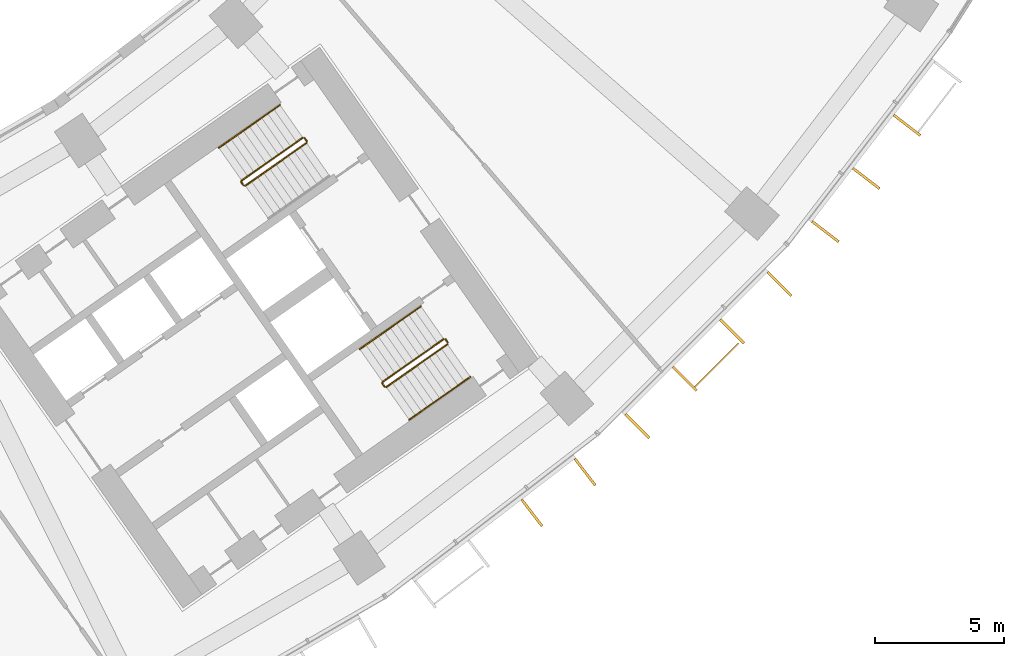
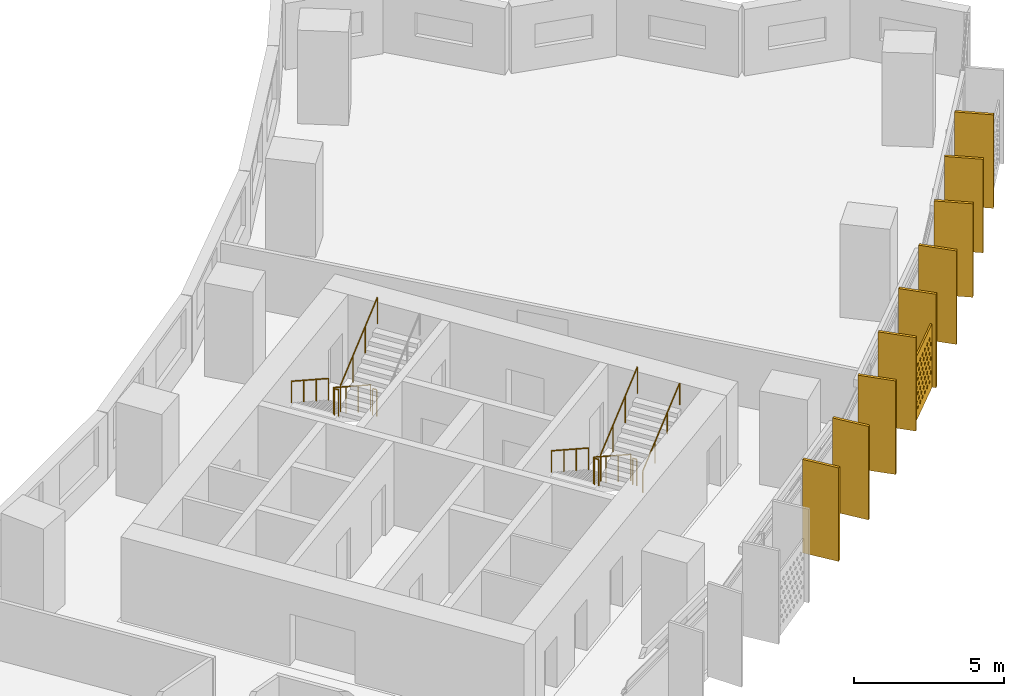
# One storey, part 30 of 31: 10 shading devices, 9 railings.
"""IFC4 building model written with IfcOpenShell, lengths in metres."""

from ifc_helpers import new_model, si_unit, direction, frame, origin, origin_2d, place, context, subcontext, project, spatial, polyline, rectangle, circle, outline, extrude, material, material_profile, profile_set, type_object, element, save


model = new_model("IFC4")

# Units and contexts
model_context = context("Model", 3, precision=1e-05, world=origin(), true_north=direction((0.0, 1.0)))
body_context = subcontext(model_context, "Body", "Model", "MODEL_VIEW")
ifc_project = project(units=[si_unit("LENGTHUNIT", "METRE"), si_unit("AREAUNIT", "SQUARE_METRE"), si_unit("VOLUMEUNIT", "CUBIC_METRE"), si_unit("PLANEANGLEUNIT", "RADIAN"), si_unit("MASSUNIT", "GRAM", prefix="KILO")], contexts=[model_context])

# Site, building, storey
site_placement = place(None, origin())
site = spatial("IfcSite", under=ifc_project, at=site_placement, CompositionType="ELEMENT")
building_placement = place(site_placement, origin())
building = spatial("IfcBuilding", under=site, at=building_placement, Name="Qamariyya Broadcast Tower", CompositionType="ELEMENT")
storey_placement = place(building_placement, frame((0.0, 0.0, 86.10009765625)))
storey = spatial("IfcBuildingStorey", under=building, at=storey_placement, Name="L18", CompositionType="ELEMENT", Elevation=86.10009765625)

# Shading device
ifc_material_1 = material(Name="Perforated glazed terracotta", Category="masonry")
ifc_material_profile_1 = material_profile(ifc_material_1, outline(polyline([(-1.199951171875, -1.300048828125), (1.199951171875, -1.300048828125), (1.199951171875, 1.300048828125), (-1.199951171875, 1.300048828125), (-1.199951171875, -1.300048828125)]), holes=[polyline([(-0.81494140625, -0.86669921875), (-0.89990234375, -0.78173828125), (-0.985107421875, -0.86669921875), (-0.89990234375, -0.95166015625), (-0.81494140625, -0.86669921875)]), polyline([(-0.514892578125, -0.86669921875), (-0.60009765625, -0.78173828125), (-0.68505859375, -0.86669921875), (-0.60009765625, -0.95166015625), (-0.514892578125, -0.86669921875)]), polyline([(-0.215087890625, -0.86669921875), (-0.300048828125, -0.78173828125), (-0.385009765625, -0.86669921875), (-0.300048828125, -0.95166015625), (-0.215087890625, -0.86669921875)]), polyline([(0.0849609375, -0.86669921875), (0.0, -0.78173828125), (-0.0849609375, -0.86669921875), (0.0, -0.95166015625), (0.0849609375, -0.86669921875)]), polyline([(0.385009765625, -0.86669921875), (0.300048828125, -0.78173828125), (0.215087890625, -0.86669921875), (0.300048828125, -0.95166015625), (0.385009765625, -0.86669921875)]), polyline([(0.68505859375, -0.86669921875), (0.60009765625, -0.78173828125), (0.514892578125, -0.86669921875), (0.60009765625, -0.95166015625), (0.68505859375, -0.86669921875)]), polyline([(0.985107421875, -0.86669921875), (0.89990234375, -0.78173828125), (0.81494140625, -0.86669921875), (0.89990234375, -0.95166015625), (0.985107421875, -0.86669921875)]), polyline([(-0.965087890625, -0.577880859375), (-1.050048828125, -0.49267578125), (-1.135009765625, -0.577880859375), (-1.050048828125, -0.662841796875), (-0.965087890625, -0.577880859375)]), polyline([(-0.6650390625, -0.577880859375), (-0.75, -0.49267578125), (-0.8349609375, -0.577880859375), (-0.75, -0.662841796875), (-0.6650390625, -0.577880859375)]), polyline([(-0.364990234375, -0.577880859375), (-0.449951171875, -0.49267578125), (-0.534912109375, -0.577880859375), (-0.449951171875, -0.662841796875), (-0.364990234375, -0.577880859375)]), polyline([(-0.06494140625, -0.577880859375), (-0.14990234375, -0.49267578125), (-0.235107421875, -0.577880859375), (-0.14990234375, -0.662841796875), (-0.06494140625, -0.577880859375)]), polyline([(0.235107421875, -0.577880859375), (0.14990234375, -0.49267578125), (0.06494140625, -0.577880859375), (0.14990234375, -0.662841796875), (0.235107421875, -0.577880859375)]), polyline([(0.534912109375, -0.577880859375), (0.449951171875, -0.49267578125), (0.364990234375, -0.577880859375), (0.449951171875, -0.662841796875), (0.534912109375, -0.577880859375)]), polyline([(0.8349609375, -0.577880859375), (0.75, -0.49267578125), (0.6650390625, -0.577880859375), (0.75, -0.662841796875), (0.8349609375, -0.577880859375)]), polyline([(1.135009765625, -0.577880859375), (1.050048828125, -0.49267578125), (0.965087890625, -0.577880859375), (1.050048828125, -0.662841796875), (1.135009765625, -0.577880859375)]), polyline([(-0.81494140625, -0.288818359375), (-0.89990234375, -0.203857421875), (-0.985107421875, -0.288818359375), (-0.89990234375, -0.373779296875), (-0.81494140625, -0.288818359375)]), polyline([(-0.514892578125, -0.288818359375), (-0.60009765625, -0.203857421875), (-0.68505859375, -0.288818359375), (-0.60009765625, -0.373779296875), (-0.514892578125, -0.288818359375)]), polyline([(-0.215087890625, -0.288818359375), (-0.300048828125, -0.203857421875), (-0.385009765625, -0.288818359375), (-0.300048828125, -0.373779296875), (-0.215087890625, -0.288818359375)]), polyline([(0.0849609375, -0.288818359375), (0.0, -0.203857421875), (-0.0849609375, -0.288818359375), (0.0, -0.373779296875), (0.0849609375, -0.288818359375)]), polyline([(0.385009765625, -0.288818359375), (0.300048828125, -0.203857421875), (0.215087890625, -0.288818359375), (0.300048828125, -0.373779296875), (0.385009765625, -0.288818359375)]), polyline([(0.68505859375, -0.288818359375), (0.60009765625, -0.203857421875), (0.514892578125, -0.288818359375), (0.60009765625, -0.373779296875), (0.68505859375, -0.288818359375)]), polyline([(0.985107421875, -0.288818359375), (0.89990234375, -0.203857421875), (0.81494140625, -0.288818359375), (0.89990234375, -0.373779296875), (0.985107421875, -0.288818359375)]), polyline([(-0.965087890625, 0.0), (-1.050048828125, 0.0849609375), (-1.135009765625, 0.0), (-1.050048828125, -0.0849609375), (-0.965087890625, 0.0)]), polyline([(-0.6650390625, 0.0), (-0.75, 0.0849609375), (-0.8349609375, 0.0), (-0.75, -0.0849609375), (-0.6650390625, 0.0)]), polyline([(-0.364990234375, 0.0), (-0.449951171875, 0.0849609375), (-0.534912109375, 0.0), (-0.449951171875, -0.0849609375), (-0.364990234375, 0.0)]), polyline([(-0.06494140625, 0.0), (-0.14990234375, 0.0849609375), (-0.235107421875, 0.0), (-0.14990234375, -0.0849609375), (-0.06494140625, 0.0)]), polyline([(0.235107421875, 0.0), (0.14990234375, 0.0849609375), (0.06494140625, 0.0), (0.14990234375, -0.0849609375), (0.235107421875, 0.0)]), polyline([(0.534912109375, 0.0), (0.449951171875, 0.0849609375), (0.364990234375, 0.0), (0.449951171875, -0.0849609375), (0.534912109375, 0.0)]), polyline([(0.8349609375, 0.0), (0.75, 0.0849609375), (0.6650390625, 0.0), (0.75, -0.0849609375), (0.8349609375, 0.0)]), polyline([(1.135009765625, 0.0), (1.050048828125, 0.0849609375), (0.965087890625, 0.0), (1.050048828125, -0.0849609375), (1.135009765625, 0.0)]), polyline([(-0.81494140625, 0.288818359375), (-0.89990234375, 0.373779296875), (-0.985107421875, 0.288818359375), (-0.89990234375, 0.203857421875), (-0.81494140625, 0.288818359375)]), polyline([(-0.514892578125, 0.288818359375), (-0.60009765625, 0.373779296875), (-0.68505859375, 0.288818359375), (-0.60009765625, 0.203857421875), (-0.514892578125, 0.288818359375)]), polyline([(-0.215087890625, 0.288818359375), (-0.300048828125, 0.373779296875), (-0.385009765625, 0.288818359375), (-0.300048828125, 0.203857421875), (-0.215087890625, 0.288818359375)]), polyline([(0.0849609375, 0.288818359375), (0.0, 0.373779296875), (-0.0849609375, 0.288818359375), (0.0, 0.203857421875), (0.0849609375, 0.288818359375)]), polyline([(0.385009765625, 0.288818359375), (0.300048828125, 0.373779296875), (0.215087890625, 0.288818359375), (0.300048828125, 0.203857421875), (0.385009765625, 0.288818359375)]), polyline([(0.68505859375, 0.288818359375), (0.60009765625, 0.373779296875), (0.514892578125, 0.288818359375), (0.60009765625, 0.203857421875), (0.68505859375, 0.288818359375)]), polyline([(0.985107421875, 0.288818359375), (0.89990234375, 0.373779296875), (0.81494140625, 0.288818359375), (0.89990234375, 0.203857421875), (0.985107421875, 0.288818359375)]), polyline([(-0.965087890625, 0.577880859375), (-1.050048828125, 0.662841796875), (-1.135009765625, 0.577880859375), (-1.050048828125, 0.49267578125), (-0.965087890625, 0.577880859375)]), polyline([(-0.6650390625, 0.577880859375), (-0.75, 0.662841796875), (-0.8349609375, 0.577880859375), (-0.75, 0.49267578125), (-0.6650390625, 0.577880859375)]), polyline([(-0.364990234375, 0.577880859375), (-0.449951171875, 0.662841796875), (-0.534912109375, 0.577880859375), (-0.449951171875, 0.49267578125), (-0.364990234375, 0.577880859375)]), polyline([(-0.06494140625, 0.577880859375), (-0.14990234375, 0.662841796875), (-0.235107421875, 0.577880859375), (-0.14990234375, 0.49267578125), (-0.06494140625, 0.577880859375)]), polyline([(0.235107421875, 0.577880859375), (0.14990234375, 0.662841796875), (0.06494140625, 0.577880859375), (0.14990234375, 0.49267578125), (0.235107421875, 0.577880859375)]), polyline([(0.534912109375, 0.577880859375), (0.449951171875, 0.662841796875), (0.364990234375, 0.577880859375), (0.449951171875, 0.49267578125), (0.534912109375, 0.577880859375)]), polyline([(0.8349609375, 0.577880859375), (0.75, 0.662841796875), (0.6650390625, 0.577880859375), (0.75, 0.49267578125), (0.8349609375, 0.577880859375)]), polyline([(1.135009765625, 0.577880859375), (1.050048828125, 0.662841796875), (0.965087890625, 0.577880859375), (1.050048828125, 0.49267578125), (1.135009765625, 0.577880859375)]), polyline([(-0.81494140625, 0.86669921875), (-0.89990234375, 0.95166015625), (-0.985107421875, 0.86669921875), (-0.89990234375, 0.78173828125), (-0.81494140625, 0.86669921875)]), polyline([(-0.514892578125, 0.86669921875), (-0.60009765625, 0.95166015625), (-0.68505859375, 0.86669921875), (-0.60009765625, 0.78173828125), (-0.514892578125, 0.86669921875)]), polyline([(-0.215087890625, 0.86669921875), (-0.300048828125, 0.95166015625), (-0.385009765625, 0.86669921875), (-0.300048828125, 0.78173828125), (-0.215087890625, 0.86669921875)]), polyline([(0.0849609375, 0.86669921875), (0.0, 0.95166015625), (-0.0849609375, 0.86669921875), (0.0, 0.78173828125), (0.0849609375, 0.86669921875)]), polyline([(0.385009765625, 0.86669921875), (0.300048828125, 0.95166015625), (0.215087890625, 0.86669921875), (0.300048828125, 0.78173828125), (0.385009765625, 0.86669921875)]), polyline([(0.68505859375, 0.86669921875), (0.60009765625, 0.95166015625), (0.514892578125, 0.86669921875), (0.60009765625, 0.78173828125), (0.68505859375, 0.86669921875)]), polyline([(0.985107421875, 0.86669921875), (0.89990234375, 0.95166015625), (0.81494140625, 0.86669921875), (0.89990234375, 0.78173828125), (0.985107421875, 0.86669921875)])]))
ifc_profile_set_1 = profile_set([ifc_material_profile_1], Name="Perforated glazed terracotta")
shading_device_type_1 = type_object("IfcShadingDeviceType", Name="Perforated terracotta screen 2400 x 2600", PredefinedType="USERDEFINED", material=ifc_profile_set_1)
shading_device_placement = place(storey_placement, frame((57.0615234375, -57.135498046875, 1.349853515625), z_axis=(0.707106781187, -0.707106781187, 0.0), x_axis=(0.707106781187, 0.707106781187, 0.0)))
element("IfcShadingDevice", 1, at=shading_device_placement, inside=storey, type_object=shading_device_type_1, Name="e-scr-L18-14-1", ObjectType="SCREEN", PredefinedType="USERDEFINED", context=body_context, shape_type="SweptSolid", body=[
    extrude(outline(polyline([(-1.199951171875, -1.300048828125), (1.199951171875, -1.300048828125), (1.199951171875, 1.300048828125), (-1.199951171875, 1.300048828125), (-1.199951171875, -1.300048828125)]), holes=[polyline([(-0.81494140625, -0.86669921875), (-0.89990234375, -0.78173828125), (-0.985107421875, -0.86669921875), (-0.89990234375, -0.95166015625), (-0.81494140625, -0.86669921875)]), polyline([(-0.514892578125, -0.86669921875), (-0.60009765625, -0.78173828125), (-0.68505859375, -0.86669921875), (-0.60009765625, -0.95166015625), (-0.514892578125, -0.86669921875)]), polyline([(-0.215087890625, -0.86669921875), (-0.300048828125, -0.78173828125), (-0.385009765625, -0.86669921875), (-0.300048828125, -0.95166015625), (-0.215087890625, -0.86669921875)]), polyline([(0.0849609375, -0.86669921875), (0.0, -0.78173828125), (-0.0849609375, -0.86669921875), (0.0, -0.95166015625), (0.0849609375, -0.86669921875)]), polyline([(0.385009765625, -0.86669921875), (0.300048828125, -0.78173828125), (0.215087890625, -0.86669921875), (0.300048828125, -0.95166015625), (0.385009765625, -0.86669921875)]), polyline([(0.68505859375, -0.86669921875), (0.60009765625, -0.78173828125), (0.514892578125, -0.86669921875), (0.60009765625, -0.95166015625), (0.68505859375, -0.86669921875)]), polyline([(0.985107421875, -0.86669921875), (0.89990234375, -0.78173828125), (0.81494140625, -0.86669921875), (0.89990234375, -0.95166015625), (0.985107421875, -0.86669921875)]), polyline([(-0.965087890625, -0.577880859375), (-1.050048828125, -0.49267578125), (-1.135009765625, -0.577880859375), (-1.050048828125, -0.662841796875), (-0.965087890625, -0.577880859375)]), polyline([(-0.6650390625, -0.577880859375), (-0.75, -0.49267578125), (-0.8349609375, -0.577880859375), (-0.75, -0.662841796875), (-0.6650390625, -0.577880859375)]), polyline([(-0.364990234375, -0.577880859375), (-0.449951171875, -0.49267578125), (-0.534912109375, -0.577880859375), (-0.449951171875, -0.662841796875), (-0.364990234375, -0.577880859375)]), polyline([(-0.06494140625, -0.577880859375), (-0.14990234375, -0.49267578125), (-0.235107421875, -0.577880859375), (-0.14990234375, -0.662841796875), (-0.06494140625, -0.577880859375)]), polyline([(0.235107421875, -0.577880859375), (0.14990234375, -0.49267578125), (0.06494140625, -0.577880859375), (0.14990234375, -0.662841796875), (0.235107421875, -0.577880859375)]), polyline([(0.534912109375, -0.577880859375), (0.449951171875, -0.49267578125), (0.364990234375, -0.577880859375), (0.449951171875, -0.662841796875), (0.534912109375, -0.577880859375)]), polyline([(0.8349609375, -0.577880859375), (0.75, -0.49267578125), (0.6650390625, -0.577880859375), (0.75, -0.662841796875), (0.8349609375, -0.577880859375)]), polyline([(1.135009765625, -0.577880859375), (1.050048828125, -0.49267578125), (0.965087890625, -0.577880859375), (1.050048828125, -0.662841796875), (1.135009765625, -0.577880859375)]), polyline([(-0.81494140625, -0.288818359375), (-0.89990234375, -0.203857421875), (-0.985107421875, -0.288818359375), (-0.89990234375, -0.373779296875), (-0.81494140625, -0.288818359375)]), polyline([(-0.514892578125, -0.288818359375), (-0.60009765625, -0.203857421875), (-0.68505859375, -0.288818359375), (-0.60009765625, -0.373779296875), (-0.514892578125, -0.288818359375)]), polyline([(-0.215087890625, -0.288818359375), (-0.300048828125, -0.203857421875), (-0.385009765625, -0.288818359375), (-0.300048828125, -0.373779296875), (-0.215087890625, -0.288818359375)]), polyline([(0.0849609375, -0.288818359375), (0.0, -0.203857421875), (-0.0849609375, -0.288818359375), (0.0, -0.373779296875), (0.0849609375, -0.288818359375)]), polyline([(0.385009765625, -0.288818359375), (0.300048828125, -0.203857421875), (0.215087890625, -0.288818359375), (0.300048828125, -0.373779296875), (0.385009765625, -0.288818359375)]), polyline([(0.68505859375, -0.288818359375), (0.60009765625, -0.203857421875), (0.514892578125, -0.288818359375), (0.60009765625, -0.373779296875), (0.68505859375, -0.288818359375)]), polyline([(0.985107421875, -0.288818359375), (0.89990234375, -0.203857421875), (0.81494140625, -0.288818359375), (0.89990234375, -0.373779296875), (0.985107421875, -0.288818359375)]), polyline([(-0.965087890625, 0.0), (-1.050048828125, 0.0849609375), (-1.135009765625, 0.0), (-1.050048828125, -0.0849609375), (-0.965087890625, 0.0)]), polyline([(-0.6650390625, 0.0), (-0.75, 0.0849609375), (-0.8349609375, 0.0), (-0.75, -0.0849609375), (-0.6650390625, 0.0)]), polyline([(-0.364990234375, 0.0), (-0.449951171875, 0.0849609375), (-0.534912109375, 0.0), (-0.449951171875, -0.0849609375), (-0.364990234375, 0.0)]), polyline([(-0.06494140625, 0.0), (-0.14990234375, 0.0849609375), (-0.235107421875, 0.0), (-0.14990234375, -0.0849609375), (-0.06494140625, 0.0)]), polyline([(0.235107421875, 0.0), (0.14990234375, 0.0849609375), (0.06494140625, 0.0), (0.14990234375, -0.0849609375), (0.235107421875, 0.0)]), polyline([(0.534912109375, 0.0), (0.449951171875, 0.0849609375), (0.364990234375, 0.0), (0.449951171875, -0.0849609375), (0.534912109375, 0.0)]), polyline([(0.8349609375, 0.0), (0.75, 0.0849609375), (0.6650390625, 0.0), (0.75, -0.0849609375), (0.8349609375, 0.0)]), polyline([(1.135009765625, 0.0), (1.050048828125, 0.0849609375), (0.965087890625, 0.0), (1.050048828125, -0.0849609375), (1.135009765625, 0.0)]), polyline([(-0.81494140625, 0.288818359375), (-0.89990234375, 0.373779296875), (-0.985107421875, 0.288818359375), (-0.89990234375, 0.203857421875), (-0.81494140625, 0.288818359375)]), polyline([(-0.514892578125, 0.288818359375), (-0.60009765625, 0.373779296875), (-0.68505859375, 0.288818359375), (-0.60009765625, 0.203857421875), (-0.514892578125, 0.288818359375)]), polyline([(-0.215087890625, 0.288818359375), (-0.300048828125, 0.373779296875), (-0.385009765625, 0.288818359375), (-0.300048828125, 0.203857421875), (-0.215087890625, 0.288818359375)]), polyline([(0.0849609375, 0.288818359375), (0.0, 0.373779296875), (-0.0849609375, 0.288818359375), (0.0, 0.203857421875), (0.0849609375, 0.288818359375)]), polyline([(0.385009765625, 0.288818359375), (0.300048828125, 0.373779296875), (0.215087890625, 0.288818359375), (0.300048828125, 0.203857421875), (0.385009765625, 0.288818359375)]), polyline([(0.68505859375, 0.288818359375), (0.60009765625, 0.373779296875), (0.514892578125, 0.288818359375), (0.60009765625, 0.203857421875), (0.68505859375, 0.288818359375)]), polyline([(0.985107421875, 0.288818359375), (0.89990234375, 0.373779296875), (0.81494140625, 0.288818359375), (0.89990234375, 0.203857421875), (0.985107421875, 0.288818359375)]), polyline([(-0.965087890625, 0.577880859375), (-1.050048828125, 0.662841796875), (-1.135009765625, 0.577880859375), (-1.050048828125, 0.49267578125), (-0.965087890625, 0.577880859375)]), polyline([(-0.6650390625, 0.577880859375), (-0.75, 0.662841796875), (-0.8349609375, 0.577880859375), (-0.75, 0.49267578125), (-0.6650390625, 0.577880859375)]), polyline([(-0.364990234375, 0.577880859375), (-0.449951171875, 0.662841796875), (-0.534912109375, 0.577880859375), (-0.449951171875, 0.49267578125), (-0.364990234375, 0.577880859375)]), polyline([(-0.06494140625, 0.577880859375), (-0.14990234375, 0.662841796875), (-0.235107421875, 0.577880859375), (-0.14990234375, 0.49267578125), (-0.06494140625, 0.577880859375)]), polyline([(0.235107421875, 0.577880859375), (0.14990234375, 0.662841796875), (0.06494140625, 0.577880859375), (0.14990234375, 0.49267578125), (0.235107421875, 0.577880859375)]), polyline([(0.534912109375, 0.577880859375), (0.449951171875, 0.662841796875), (0.364990234375, 0.577880859375), (0.449951171875, 0.49267578125), (0.534912109375, 0.577880859375)]), polyline([(0.8349609375, 0.577880859375), (0.75, 0.662841796875), (0.6650390625, 0.577880859375), (0.75, 0.49267578125), (0.8349609375, 0.577880859375)]), polyline([(1.135009765625, 0.577880859375), (1.050048828125, 0.662841796875), (0.965087890625, 0.577880859375), (1.050048828125, 0.49267578125), (1.135009765625, 0.577880859375)]), polyline([(-0.81494140625, 0.86669921875), (-0.89990234375, 0.95166015625), (-0.985107421875, 0.86669921875), (-0.89990234375, 0.78173828125), (-0.81494140625, 0.86669921875)]), polyline([(-0.514892578125, 0.86669921875), (-0.60009765625, 0.95166015625), (-0.68505859375, 0.86669921875), (-0.60009765625, 0.78173828125), (-0.514892578125, 0.86669921875)]), polyline([(-0.215087890625, 0.86669921875), (-0.300048828125, 0.95166015625), (-0.385009765625, 0.86669921875), (-0.300048828125, 0.78173828125), (-0.215087890625, 0.86669921875)]), polyline([(0.0849609375, 0.86669921875), (0.0, 0.95166015625), (-0.0849609375, 0.86669921875), (0.0, 0.78173828125), (0.0849609375, 0.86669921875)]), polyline([(0.385009765625, 0.86669921875), (0.300048828125, 0.95166015625), (0.215087890625, 0.86669921875), (0.300048828125, 0.78173828125), (0.385009765625, 0.86669921875)]), polyline([(0.68505859375, 0.86669921875), (0.60009765625, 0.95166015625), (0.514892578125, 0.86669921875), (0.60009765625, 0.78173828125), (0.68505859375, 0.86669921875)]), polyline([(0.985107421875, 0.86669921875), (0.89990234375, 0.95166015625), (0.81494140625, 0.86669921875), (0.89990234375, 0.78173828125), (0.985107421875, 0.86669921875)])]), origin(), (0.0, 0.0, 1.0), 0.06005859375),
])

# Railings
ifc_material_2 = material(Name="Painted steel", Category="steel")
railing_type_1 = type_object("IfcRailingType", Name="Stair guard", PredefinedType="GUARDRAIL", material=ifc_material_2)
railing_1_placement = place(storey_placement, frame((41.003173828125, -48.320068359375, 0.172607421875)))
element("IfcRailing", 2, at=railing_1_placement, inside=storey, type_object=railing_type_1, Name="L18 ST-E2 stair guard 1", PredefinedType="GUARDRAIL", context=body_context, shape_type="SweptSolid", body=[
    extrude(circle(Radius=0.02392578125, at=origin_2d()), frame((0.0, 0.0, 1.076171875), z_axis=(-0.703770094002, -0.492783725636, 0.511734163933), x_axis=(0.573575343427, -0.819152809562, 0.0)), (0.0, 0.0, 1.0), 3.37548828125),
    extrude(circle(Radius=0.02392578125, at=origin_2d()), frame((-2.37548828125, -1.663330078125, 2.80322265625), z_axis=(-0.172799478008, -0.984957024646, 0.0), x_axis=(0.984957024646, -0.172799478008, 0.0)), (0.0, 0.0, 1.0), 0.070556640625),
    extrude(circle(Radius=0.02392578125, at=origin_2d()), frame((-2.3876953125, -1.73291015625, 2.80322265625), z_axis=(0.572588637393, -0.819842821722, 0.0), x_axis=(0.819842821722, 0.572588637393, 0.0)), (0.0, 0.0, 1.0), 0.150146484375),
    extrude(circle(Radius=0.02099609375, at=origin_2d()), origin(), (0.0, 0.0, 1.0), 1.052001953125),
    extrude(circle(Radius=0.02099609375, at=origin_2d()), frame((-0.791748046875, -0.554443359375, 0.57568359375)), (0.0, 0.0, 1.0), 1.052001953125),
    extrude(circle(Radius=0.02099609375, at=origin_2d()), frame((-1.583740234375, -1.10888671875, 1.151611328125)), (0.0, 0.0, 1.0), 1.052001953125),
    extrude(circle(Radius=0.02099609375, at=origin_2d()), frame((-2.37548828125, -1.663330078125, 1.727294921875)), (0.0, 0.0, 1.0), 1.052001953125),
    extrude(circle(Radius=0.02099609375, at=origin_2d()), frame((-2.3876953125, -1.73291015625, 1.727294921875)), (0.0, 0.0, 1.0), 1.052001953125),
    extrude(circle(Radius=0.02099609375, at=origin_2d()), frame((-2.3017578125, -1.85595703125, 1.727294921875)), (0.0, 0.0, 1.0), 1.052001953125),
])
railing_2_placement = place(storey_placement, frame((38.771240234375, -50.188232421875, 2.072509765625)))
element("IfcRailing", 3, at=railing_2_placement, inside=storey, type_object=railing_type_1, Name="L18 ST-E2 stair guard 2", PredefinedType="GUARDRAIL", context=body_context, shape_type="SweptSolid", body=[
    extrude(circle(Radius=0.02392578125, at=origin_2d()), frame((0.0, 0.0, 1.076171875), z_axis=(0.703770094002, 0.492783725636, 0.511734163933), x_axis=(-0.573575343427, 0.819152809562, 0.0)), (0.0, 0.0, 1.0), 3.37548828125),
    extrude(circle(Radius=0.02099609375, at=origin_2d()), origin(), (0.0, 0.0, 1.0), 1.052001953125),
    extrude(circle(Radius=0.02099609375, at=origin_2d()), frame((0.791748046875, 0.554443359375, 0.57568359375)), (0.0, 0.0, 1.0), 1.052001953125),
    extrude(circle(Radius=0.02099609375, at=origin_2d()), frame((1.583740234375, 1.10888671875, 1.151611328125)), (0.0, 0.0, 1.0), 1.052001953125),
    extrude(circle(Radius=0.02099609375, at=origin_2d()), frame((2.37548828125, 1.663330078125, 1.727294921875)), (0.0, 0.0, 1.0), 1.052001953125),
])
railing_3_placement = place(storey_placement, frame((41.072998046875, -48.332275390625, 0.0)))
element("IfcRailing", 4, at=railing_3_placement, inside=storey, type_object=railing_type_1, Name="L18 ST-E2 stair guard 3", PredefinedType="GUARDRAIL", context=body_context, shape_type="SweptSolid", body=[
    extrude(circle(Radius=0.02392578125, at=origin_2d()), frame((0.0, 0.0, 1.076171875), z_axis=(0.572588637393, -0.819842821722, 0.0), x_axis=(0.819842821722, 0.572588637393, 0.0)), (0.0, 0.0, 1.0), 0.150146484375),
    extrude(circle(Radius=0.02099609375, at=origin_2d()), origin(), (0.0, 0.0, 1.0), 1.052001953125),
    extrude(circle(Radius=0.02099609375, at=origin_2d()), frame((0.0859375, -0.123046875, 0.0)), (0.0, 0.0, 1.0), 1.052001953125),
])
railing_4_placement = place(storey_placement, frame((46.48095703125, -56.14306640625, 0.172607421875)))
element("IfcRailing", 5, at=railing_4_placement, inside=storey, type_object=railing_type_1, Name="L18 ST-E1 stair guard 1", PredefinedType="GUARDRAIL", context=body_context, shape_type="SweptSolid", body=[
    extrude(circle(Radius=0.02392578125, at=origin_2d()), frame((0.0, 0.0, 1.076171875), z_axis=(-0.703770094002, -0.492783725636, 0.511734163933), x_axis=(0.573575343427, -0.819152809562, 0.0)), (0.0, 0.0, 1.0), 3.37548828125),
    extrude(circle(Radius=0.02392578125, at=origin_2d()), frame((-2.37548828125, -1.663330078125, 2.80322265625), z_axis=(-0.176149252506, -0.984363469884, 0.0), x_axis=(0.984363469884, -0.176149252506, 0.0)), (0.0, 0.0, 1.0), 0.07080078125),
    extrude(circle(Radius=0.02392578125, at=origin_2d()), frame((-2.387939453125, -1.73291015625, 2.80322265625), z_axis=(0.574444878118, -0.818543268254, 0.0), x_axis=(0.818543268254, 0.574444878118, 0.0)), (0.0, 0.0, 1.0), 0.150146484375),
    extrude(circle(Radius=0.02099609375, at=origin_2d()), origin(), (0.0, 0.0, 1.0), 1.052001953125),
    extrude(circle(Radius=0.02099609375, at=origin_2d()), frame((-0.791748046875, -0.554443359375, 0.57568359375)), (0.0, 0.0, 1.0), 1.052001953125),
    extrude(circle(Radius=0.02099609375, at=origin_2d()), frame((-1.583740234375, -1.10888671875, 1.151611328125)), (0.0, 0.0, 1.0), 1.052001953125),
    extrude(circle(Radius=0.02099609375, at=origin_2d()), frame((-2.37548828125, -1.663330078125, 1.727294921875)), (0.0, 0.0, 1.0), 1.052001953125),
    extrude(circle(Radius=0.02099609375, at=origin_2d()), frame((-2.387939453125, -1.73291015625, 1.727294921875)), (0.0, 0.0, 1.0), 1.052001953125),
    extrude(circle(Radius=0.02099609375, at=origin_2d()), frame((-2.3017578125, -1.855712890625, 1.727294921875)), (0.0, 0.0, 1.0), 1.052001953125),
])
railing_5_placement = place(storey_placement, frame((44.248779296875, -58.01123046875, 2.072509765625)))
element("IfcRailing", 6, at=railing_5_placement, inside=storey, type_object=railing_type_1, Name="L18 ST-E1 stair guard 2", PredefinedType="GUARDRAIL", context=body_context, shape_type="SweptSolid", body=[
    extrude(circle(Radius=0.02392578125, at=origin_2d()), frame((0.0, 0.0, 1.076171875), z_axis=(0.703745009021, 0.492838488332, 0.511715923826), x_axis=(-0.573631830683, 0.819113253969, 0.0)), (0.0, 0.0, 1.0), 3.37548828125),
    extrude(circle(Radius=0.02099609375, at=origin_2d()), origin(), (0.0, 0.0, 1.0), 1.052001953125),
    extrude(circle(Radius=0.02099609375, at=origin_2d()), frame((0.791748046875, 0.554443359375, 0.57568359375)), (0.0, 0.0, 1.0), 1.052001953125),
    extrude(circle(Radius=0.02099609375, at=origin_2d()), frame((1.583740234375, 1.109130859375, 1.151611328125)), (0.0, 0.0, 1.0), 1.052001953125),
    extrude(circle(Radius=0.02099609375, at=origin_2d()), frame((2.37548828125, 1.66357421875, 1.727294921875)), (0.0, 0.0, 1.0), 1.052001953125),
])
railing_6_placement = place(storey_placement, frame((46.550537109375, -56.1552734375, 0.0)))
element("IfcRailing", 7, at=railing_6_placement, inside=storey, type_object=railing_type_1, Name="L18 ST-E1 stair guard 3", PredefinedType="GUARDRAIL", context=body_context, shape_type="SweptSolid", body=[
    extrude(circle(Radius=0.02392578125, at=origin_2d()), frame((0.0, 0.0, 1.076171875), z_axis=(0.574444878118, -0.818543268254, 0.0), x_axis=(0.818543268254, 0.574444878118, 0.0)), (0.0, 0.0, 1.0), 0.150146484375),
    extrude(circle(Radius=0.02099609375, at=origin_2d()), origin(), (0.0, 0.0, 1.0), 1.052001953125),
    extrude(circle(Radius=0.02099609375, at=origin_2d()), frame((0.086181640625, -0.122802734375, 0.0)), (0.0, 0.0, 1.0), 1.052001953125),
])
ifc_material_3 = material(Name="Stainless steel", Category="steel")
railing_type_2 = type_object("IfcRailingType", Name="Stair handrail", PredefinedType="HANDRAIL", material=ifc_material_3)
railing_7_placement = place(storey_placement, frame((40.1142578125, -47.05029296875, 0.172607421875)))
element("IfcRailing", 8, at=railing_7_placement, inside=storey, type_object=railing_type_2, Name="L18 ST-E2 stair handrail 1", PredefinedType="HANDRAIL", context=body_context, shape_type="SweptSolid", body=[
    extrude(circle(Radius=0.02392578125, at=origin_2d()), frame((0.0, 0.0, 0.8759765625), z_axis=(-0.703745009021, -0.492838488332, 0.511715923826), x_axis=(0.573631830683, -0.819113253969, 0.0)), (0.0, 0.0, 1.0), 3.37548828125),
    extrude(circle(Radius=0.02099609375, at=origin_2d()), origin(), (0.0, 0.0, 1.0), 0.851806640625),
    extrude(circle(Radius=0.02099609375, at=origin_2d()), frame((-0.791748046875, -0.554443359375, 0.57568359375)), (0.0, 0.0, 1.0), 0.851806640625),
    extrude(circle(Radius=0.02099609375, at=origin_2d()), frame((-1.583740234375, -1.109130859375, 1.151611328125)), (0.0, 0.0, 1.0), 0.851806640625),
    extrude(circle(Radius=0.02099609375, at=origin_2d()), frame((-2.37548828125, -1.66357421875, 1.727294921875)), (0.0, 0.0, 1.0), 0.851806640625),
])
railing_8_placement = place(storey_placement, frame((45.591796875, -54.873291015625, 0.172607421875)))
element("IfcRailing", 9, at=railing_8_placement, inside=storey, type_object=railing_type_2, Name="L18 ST-E1 stair handrail 1", PredefinedType="HANDRAIL", context=body_context, shape_type="SweptSolid", body=[
    extrude(circle(Radius=0.02392578125, at=origin_2d()), frame((0.0, 0.0, 0.8759765625), z_axis=(-0.703770094002, -0.492783725636, 0.511734163933), x_axis=(0.573575343427, -0.819152809562, 0.0)), (0.0, 0.0, 1.0), 3.37548828125),
    extrude(circle(Radius=0.02099609375, at=origin_2d()), origin(), (0.0, 0.0, 1.0), 0.851806640625),
    extrude(circle(Radius=0.02099609375, at=origin_2d()), frame((-0.791748046875, -0.554443359375, 0.57568359375)), (0.0, 0.0, 1.0), 0.851806640625),
    extrude(circle(Radius=0.02099609375, at=origin_2d()), frame((-1.583740234375, -1.10888671875, 1.151611328125)), (0.0, 0.0, 1.0), 0.851806640625),
    extrude(circle(Radius=0.02099609375, at=origin_2d()), frame((-2.37548828125, -1.663330078125, 1.727294921875)), (0.0, 0.0, 1.0), 0.851806640625),
])
railing_9_placement = place(storey_placement, frame((45.137939453125, -59.28076171875, 2.072509765625)))
element("IfcRailing", 10, at=railing_9_placement, inside=storey, type_object=railing_type_2, Name="L18 ST-E1 stair handrail 2", PredefinedType="HANDRAIL", context=body_context, shape_type="SweptSolid", body=[
    extrude(circle(Radius=0.02392578125, at=origin_2d()), frame((0.0, 0.0, 0.8759765625), z_axis=(0.703770094002, 0.492783725636, 0.511734163933), x_axis=(-0.573575343427, 0.819152809562, 0.0)), (0.0, 0.0, 1.0), 3.37548828125),
    extrude(circle(Radius=0.02099609375, at=origin_2d()), origin(), (0.0, 0.0, 1.0), 0.851806640625),
    extrude(circle(Radius=0.02099609375, at=origin_2d()), frame((0.791748046875, 0.554443359375, 0.57568359375)), (0.0, 0.0, 1.0), 0.851806640625),
    extrude(circle(Radius=0.02099609375, at=origin_2d()), frame((1.583740234375, 1.10888671875, 1.151611328125)), (0.0, 0.0, 1.0), 0.851806640625),
    extrude(circle(Radius=0.02099609375, at=origin_2d()), frame((2.37548828125, 1.663330078125, 1.727294921875)), (0.0, 0.0, 1.0), 0.851806640625),
])

# Shading devices
ifc_material_4 = material(Name="Glazed terracotta", Category="masonry")
ifc_material_profile_2 = material_profile(ifc_material_4, rectangle(XDim=1.300048828125, YDim=0.10009765625, at=origin_2d()))
ifc_profile_set_2 = profile_set([ifc_material_profile_2], Name="Glazed terracotta")
shading_device_type_2 = type_object("IfcShadingDeviceType", Name="Terracotta fin 100 x 1300", PredefinedType="USERDEFINED", material=ifc_profile_set_2)
for number, where, z_axis, x_axis, name in (
    (11, (49.904296875, -62.897216796875, 0.0), (0.0, 0.0, 1.0), (0.608761429009, -0.793353340291, 0.0), "e-fin-L18-13-2"),
    (12, (51.970703125, -61.3115234375, 0.0), (0.0, 0.0, 1.0), (0.608761429009, -0.793353340291, 0.0), "e-fin-L18-13-3"),
    (13, (54.00341796875, -59.52880859375, 0.0), (0.0, 0.0, 1.0), (0.707106781187, -0.707106781187, 0.0), "e-fin-L18-14-0"),
    (14, (55.84521484375, -57.68701171875, 0.0), (0.0, 0.0, 1.0), (0.707106781187, -0.707106781187, 0.0), "e-fin-L18-14-1"),
    (15, (57.68701171875, -55.84521484375, 0.0), (0.0, 0.0, 1.0), (0.707106781187, -0.707106781187, 0.0), "e-fin-L18-14-2"),
    (16, (59.52880859375, -54.00341796875, 0.0), (0.0, 0.0, 1.0), (0.707106781187, -0.707106781187, 0.0), "e-fin-L18-14-3"),
    (17, (61.3115234375, -51.970703125, 0.0), (0.0, 0.0, 1.0), (0.793353340291, -0.608761429009, 0.0), "e-fin-L18-15-0"),
    (18, (62.897216796875, -49.904296875, 0.0), (0.0, 0.0, 1.0), (0.793353340291, -0.608761429009, 0.0), "e-fin-L18-15-1"),
    (19, (64.48291015625, -47.837890625, 0.0), (0.0, 0.0, 1.0), (0.793353340291, -0.608761429009, 0.0), "e-fin-L18-15-2"),
):
    element("IfcShadingDevice", number, at=place(storey_placement, frame(where, z_axis=z_axis, x_axis=x_axis)), inside=storey, type_object=shading_device_type_2, Name=name, ObjectType="FIN", PredefinedType="USERDEFINED", context=body_context, shape_type="SweptSolid", body=[
        extrude(rectangle(XDim=1.300048828125, YDim=0.10009765625, at=origin_2d()), origin(), (0.0, 0.0, 1.0), 3.7998046875),
    ])

save(model, "model.ifc")
